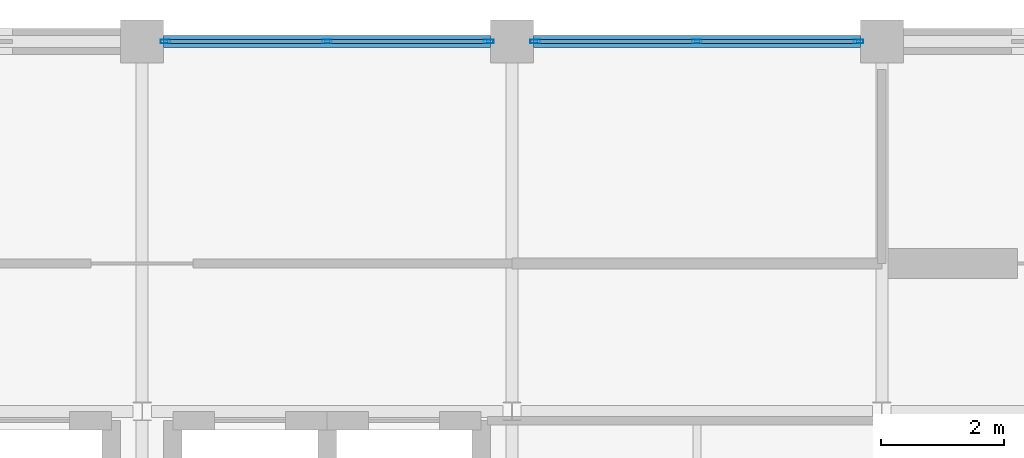
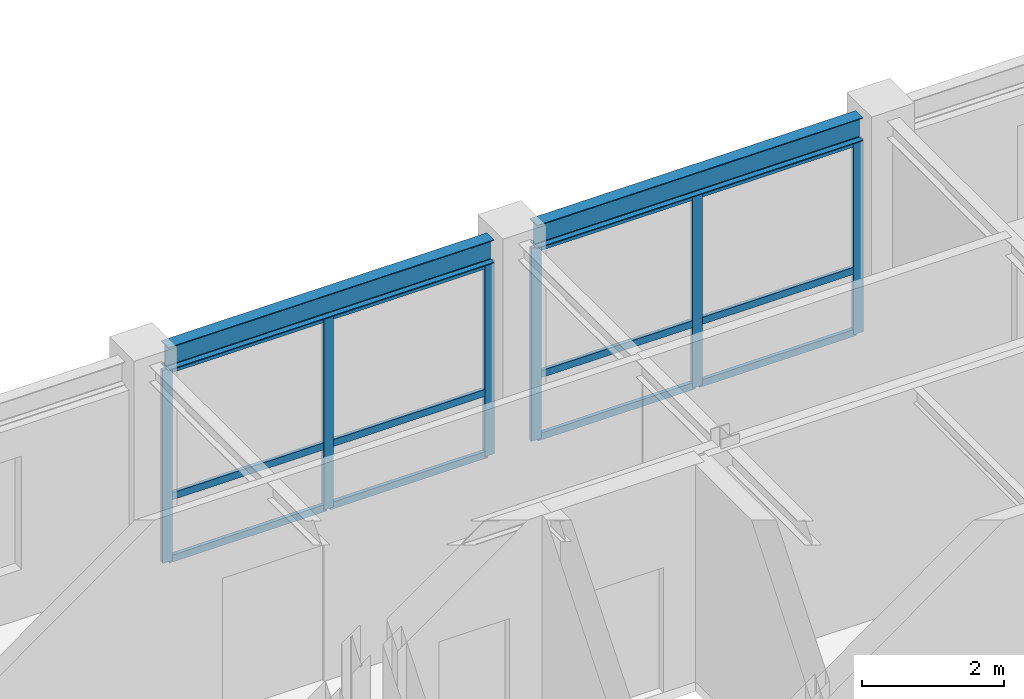
# One storey, part 6 of 11: 18 members, 2 beams, 2 elements without a shape of their own.
"""IFC4 building model written with IfcOpenShell, lengths in metres."""

from ifc_helpers import new_model, si_unit, direction, frame, origin, origin_2d, place, context, subcontext, project, spatial, hollow_rectangle, i_section, extrude, material, layer, layer_set, material_profile, profile_set, type_object, element, aggregate, save


model = new_model("IFC4")

# Units and contexts
model_context = context("Model", 3, precision=1e-05, world=origin(), true_north=direction((0.0, 1.0)))
body_context = subcontext(model_context, "Body", "Model", "MODEL_VIEW")
ifc_project = project(units=[si_unit("LENGTHUNIT", "METRE"), si_unit("AREAUNIT", "SQUARE_METRE"), si_unit("VOLUMEUNIT", "CUBIC_METRE"), si_unit("PLANEANGLEUNIT", "RADIAN"), si_unit("MASSUNIT", "GRAM", prefix="KILO")], contexts=[model_context])

# Site, building, storey
site_placement = place(None, origin())
site = spatial("IfcSite", under=ifc_project, at=site_placement, CompositionType="ELEMENT")
building_placement = place(site_placement, origin())
building = spatial("IfcBuilding", under=site, at=building_placement, Name="Zlatovratsky Civic Hall", CompositionType="ELEMENT")
storey_placement = place(building_placement, frame((0.0, 0.0, 56.10009765625)))
storey = spatial("IfcBuildingStorey", under=building, at=storey_placement, Name="L14", CompositionType="ELEMENT", Elevation=56.10009765625)

# Beams
ifc_material_1 = material(Name="Steel S355", Category="steel")
ifc_material_profile_1 = material_profile(ifc_material_1, i_section(OverallWidth=0.199951171875, OverallDepth=0.39990234375, WebThickness=0.008056640625, FlangeThickness=0.012939453125, FilletRadius=0.014892578125, at=origin_2d()), Name="40B2")
ifc_profile_set_1 = profile_set([ifc_material_profile_1], Name="Steel S355")
beam_type = type_object("IfcBeamType", Name="Beam_Spandrel_40B2", PredefinedType="SPANDREL", material=ifc_profile_set_1)
for number, where, z_axis, x_axis, name in (
    (1, (78.35009765625, 102.0, 3.539794921875), (1.0, 0.0, 0.0), (0.0, 1.0, 0.0), "BM-4998"),
    (2, (84.35009765625, 102.0, 3.539794921875), (1.0, 0.0, 0.0), (0.0, 1.0, 0.0), "BM-4999"),
):
    element("IfcBeam", number, at=place(storey_placement, frame(where, z_axis=z_axis, x_axis=x_axis)), inside=storey, type_object=beam_type, Name=name, PredefinedType="SPANDREL", context=body_context, shape_type="SweptSolid", body=[
        extrude(i_section(OverallWidth=0.199951171875, OverallDepth=0.39990234375, WebThickness=0.008056640625, FlangeThickness=0.012939453125, FilletRadius=0.014892578125, at=origin_2d()), origin(), (0.0, 0.0, 1.0), 5.2998046875),
    ])

# Curtain wall, members
ifc_material_2 = material(Name="Anodised bronze aluminium", Category="aluminium")
ifc_layer = layer(ifc_material_2, 0.159912109375)
ifc_layer_set = layer_set([ifc_layer], Name="Anodised bronze aluminium")
curtain_wall_type = type_object("IfcCurtainWallType", Name="CurtainWall_Bronze_5300x3320_21", PredefinedType="NOTDEFINED", material=ifc_layer_set)
curtain_wall_1_placement = place(storey_placement, origin())
curtain_wall_1 = element("IfcCurtainWall", 3, at=curtain_wall_1_placement, inside=storey, type_object=curtain_wall_type, Name="CW-167", PredefinedType="NOTDEFINED")
ifc_material_profile_2 = material_profile(ifc_material_2, hollow_rectangle(XDim=0.06005859375, YDim=0.159912109375, WallThickness=0.00390625, at=origin_2d()), Name="ALU 60x160x4")
ifc_profile_set_2 = profile_set([ifc_material_profile_2], Name="Anodised bronze aluminium")
member_type_1 = type_object("IfcMemberType", Name="CW_Mullion_60x160", PredefinedType="MULLION", material=ifc_profile_set_2)
member_1_placement = place(storey_placement, frame((78.3798828125, 102.0, 0.0), z_axis=(0.0, 0.0, 1.0), x_axis=(0.0, 1.0, 0.0)))
member_1 = element("IfcMember", 4, at=member_1_placement, type_object=member_type_1, Name="CW-21 mullion 1", PredefinedType="MULLION", context=body_context, shape_type="SweptSolid", body=[
    extrude(hollow_rectangle(XDim=0.06005859375, YDim=0.159912109375, WallThickness=0.00390625, at=origin_2d()), origin(), (0.0, 0.0, 1.0), 3.31982421875),
])
member_2_placement = place(storey_placement, frame((81.0, 102.0, 0.0), z_axis=(0.0, 0.0, 1.0), x_axis=(0.0, 1.0, 0.0)))
member_2 = element("IfcMember", 5, at=member_2_placement, type_object=member_type_1, Name="CW-21 mullion 2", PredefinedType="MULLION", context=body_context, shape_type="SweptSolid", body=[
    extrude(hollow_rectangle(XDim=0.06005859375, YDim=0.159912109375, WallThickness=0.00390625, at=origin_2d()), origin(), (0.0, 0.0, 1.0), 3.31982421875),
])
member_3_placement = place(storey_placement, frame((83.6201171875, 102.0, 0.0), z_axis=(0.0, 0.0, 1.0), x_axis=(0.0, 1.0, 0.0)))
member_3 = element("IfcMember", 6, at=member_3_placement, type_object=member_type_1, Name="CW-21 mullion 3", PredefinedType="MULLION", context=body_context, shape_type="SweptSolid", body=[
    extrude(hollow_rectangle(XDim=0.06005859375, YDim=0.159912109375, WallThickness=0.00390625, at=origin_2d()), origin(), (0.0, 0.0, 1.0), 3.31982421875),
])

curtain_wall_2_placement = place(storey_placement, origin())
curtain_wall_2 = element("IfcCurtainWall", 7, at=curtain_wall_2_placement, inside=storey, type_object=curtain_wall_type, Name="CW-168", PredefinedType="NOTDEFINED")
member_4_placement = place(storey_placement, frame((84.3798828125, 102.0, 0.0), z_axis=(0.0, 0.0, 1.0), x_axis=(0.0, 1.0, 0.0)))
member_4 = element("IfcMember", 8, at=member_4_placement, type_object=member_type_1, Name="CW-21 mullion 1", PredefinedType="MULLION", context=body_context, shape_type="SweptSolid", body=[
    extrude(hollow_rectangle(XDim=0.06005859375, YDim=0.159912109375, WallThickness=0.00390625, at=origin_2d()), origin(), (0.0, 0.0, 1.0), 3.31982421875),
])
member_5_placement = place(storey_placement, frame((87.0, 102.0, 0.0), z_axis=(0.0, 0.0, 1.0), x_axis=(0.0, 1.0, 0.0)))
member_5 = element("IfcMember", 9, at=member_5_placement, type_object=member_type_1, Name="CW-21 mullion 2", PredefinedType="MULLION", context=body_context, shape_type="SweptSolid", body=[
    extrude(hollow_rectangle(XDim=0.06005859375, YDim=0.159912109375, WallThickness=0.00390625, at=origin_2d()), origin(), (0.0, 0.0, 1.0), 3.31982421875),
])
member_6_placement = place(storey_placement, frame((89.6201171875, 102.0, 0.0), z_axis=(0.0, 0.0, 1.0), x_axis=(0.0, 1.0, 0.0)))
member_6 = element("IfcMember", 10, at=member_6_placement, type_object=member_type_1, Name="CW-21 mullion 3", PredefinedType="MULLION", context=body_context, shape_type="SweptSolid", body=[
    extrude(hollow_rectangle(XDim=0.06005859375, YDim=0.159912109375, WallThickness=0.00390625, at=origin_2d()), origin(), (0.0, 0.0, 1.0), 3.31982421875),
])

# Member
ifc_material_profile_3 = material_profile(ifc_material_2, hollow_rectangle(XDim=0.06005859375, YDim=0.1201171875, WallThickness=0.00390625, at=origin_2d()), Name="ALU 60x120x4")
ifc_profile_set_3 = profile_set([ifc_material_profile_3], Name="Anodised bronze aluminium")
member_type_2 = type_object("IfcMemberType", Name="CW_Transom_60x120", PredefinedType="USERDEFINED", material=ifc_profile_set_3)
member_7_placement = place(storey_placement, frame((78.409912109375, 102.0, 0.02978515625), z_axis=(1.0, 0.0, 0.0), x_axis=(0.0, 1.0, 0.0)))
member_7 = element("IfcMember", 11, at=member_7_placement, type_object=member_type_2, Name="CW-21 transom 1.1", ObjectType="TRANSOM", PredefinedType="USERDEFINED", context=body_context, shape_type="SweptSolid", body=[
    extrude(hollow_rectangle(XDim=0.06005859375, YDim=0.1201171875, WallThickness=0.00390625, at=origin_2d()), origin(), (0.0, 0.0, 1.0), 2.56005859375),
])

member_8_placement = place(storey_placement, frame((78.409912109375, 102.0, 1.099853515625), z_axis=(1.0, 0.0, 0.0), x_axis=(0.0, 1.0, 0.0)))
member_8 = element("IfcMember", 12, at=member_8_placement, type_object=member_type_2, Name="CW-21 transom 1.2", ObjectType="TRANSOM", PredefinedType="USERDEFINED", context=body_context, shape_type="SweptSolid", body=[
    extrude(hollow_rectangle(XDim=0.06005859375, YDim=0.1201171875, WallThickness=0.00390625, at=origin_2d()), origin(), (0.0, 0.0, 1.0), 2.56005859375),
])

member_9_placement = place(storey_placement, frame((78.409912109375, 102.0, 3.289794921875), z_axis=(1.0, 0.0, 0.0), x_axis=(0.0, 1.0, 0.0)))
member_9 = element("IfcMember", 13, at=member_9_placement, type_object=member_type_2, Name="CW-21 transom 1.3", ObjectType="TRANSOM", PredefinedType="USERDEFINED", context=body_context, shape_type="SweptSolid", body=[
    extrude(hollow_rectangle(XDim=0.06005859375, YDim=0.1201171875, WallThickness=0.00390625, at=origin_2d()), origin(), (0.0, 0.0, 1.0), 2.56005859375),
])

member_10_placement = place(storey_placement, frame((81.030029296875, 102.0, 0.02978515625), z_axis=(1.0, 0.0, 0.0), x_axis=(0.0, 1.0, 0.0)))
member_10 = element("IfcMember", 14, at=member_10_placement, type_object=member_type_2, Name="CW-21 transom 2.1", ObjectType="TRANSOM", PredefinedType="USERDEFINED", context=body_context, shape_type="SweptSolid", body=[
    extrude(hollow_rectangle(XDim=0.06005859375, YDim=0.1201171875, WallThickness=0.00390625, at=origin_2d()), origin(), (0.0, 0.0, 1.0), 2.56005859375),
])

member_11_placement = place(storey_placement, frame((81.030029296875, 102.0, 1.099853515625), z_axis=(1.0, 0.0, 0.0), x_axis=(0.0, 1.0, 0.0)))
member_11 = element("IfcMember", 15, at=member_11_placement, type_object=member_type_2, Name="CW-21 transom 2.2", ObjectType="TRANSOM", PredefinedType="USERDEFINED", context=body_context, shape_type="SweptSolid", body=[
    extrude(hollow_rectangle(XDim=0.06005859375, YDim=0.1201171875, WallThickness=0.00390625, at=origin_2d()), origin(), (0.0, 0.0, 1.0), 2.56005859375),
])

member_12_placement = place(storey_placement, frame((81.030029296875, 102.0, 3.289794921875), z_axis=(1.0, 0.0, 0.0), x_axis=(0.0, 1.0, 0.0)))
member_12 = element("IfcMember", 16, at=member_12_placement, type_object=member_type_2, Name="CW-21 transom 2.3", ObjectType="TRANSOM", PredefinedType="USERDEFINED", context=body_context, shape_type="SweptSolid", body=[
    extrude(hollow_rectangle(XDim=0.06005859375, YDim=0.1201171875, WallThickness=0.00390625, at=origin_2d()), origin(), (0.0, 0.0, 1.0), 2.56005859375),
])

aggregate(curtain_wall_1, [member_1, member_2, member_3, member_7, member_8, member_9, member_10, member_11, member_12])

member_13_placement = place(storey_placement, frame((84.409912109375, 102.0, 0.02978515625), z_axis=(1.0, 0.0, 0.0), x_axis=(0.0, 1.0, 0.0)))
member_13 = element("IfcMember", 17, at=member_13_placement, type_object=member_type_2, Name="CW-21 transom 1.1", ObjectType="TRANSOM", PredefinedType="USERDEFINED", context=body_context, shape_type="SweptSolid", body=[
    extrude(hollow_rectangle(XDim=0.06005859375, YDim=0.1201171875, WallThickness=0.00390625, at=origin_2d()), origin(), (0.0, 0.0, 1.0), 2.56005859375),
])

member_14_placement = place(storey_placement, frame((84.409912109375, 102.0, 1.099853515625), z_axis=(1.0, 0.0, 0.0), x_axis=(0.0, 1.0, 0.0)))
member_14 = element("IfcMember", 18, at=member_14_placement, type_object=member_type_2, Name="CW-21 transom 1.2", ObjectType="TRANSOM", PredefinedType="USERDEFINED", context=body_context, shape_type="SweptSolid", body=[
    extrude(hollow_rectangle(XDim=0.06005859375, YDim=0.1201171875, WallThickness=0.00390625, at=origin_2d()), origin(), (0.0, 0.0, 1.0), 2.56005859375),
])

member_15_placement = place(storey_placement, frame((84.409912109375, 102.0, 3.289794921875), z_axis=(1.0, 0.0, 0.0), x_axis=(0.0, 1.0, 0.0)))
member_15 = element("IfcMember", 19, at=member_15_placement, type_object=member_type_2, Name="CW-21 transom 1.3", ObjectType="TRANSOM", PredefinedType="USERDEFINED", context=body_context, shape_type="SweptSolid", body=[
    extrude(hollow_rectangle(XDim=0.06005859375, YDim=0.1201171875, WallThickness=0.00390625, at=origin_2d()), origin(), (0.0, 0.0, 1.0), 2.56005859375),
])

member_16_placement = place(storey_placement, frame((87.030029296875, 102.0, 0.02978515625), z_axis=(1.0, 0.0, 0.0), x_axis=(0.0, 1.0, 0.0)))
member_16 = element("IfcMember", 20, at=member_16_placement, type_object=member_type_2, Name="CW-21 transom 2.1", ObjectType="TRANSOM", PredefinedType="USERDEFINED", context=body_context, shape_type="SweptSolid", body=[
    extrude(hollow_rectangle(XDim=0.06005859375, YDim=0.1201171875, WallThickness=0.00390625, at=origin_2d()), origin(), (0.0, 0.0, 1.0), 2.56005859375),
])

member_17_placement = place(storey_placement, frame((87.030029296875, 102.0, 1.099853515625), z_axis=(1.0, 0.0, 0.0), x_axis=(0.0, 1.0, 0.0)))
member_17 = element("IfcMember", 21, at=member_17_placement, type_object=member_type_2, Name="CW-21 transom 2.2", ObjectType="TRANSOM", PredefinedType="USERDEFINED", context=body_context, shape_type="SweptSolid", body=[
    extrude(hollow_rectangle(XDim=0.06005859375, YDim=0.1201171875, WallThickness=0.00390625, at=origin_2d()), origin(), (0.0, 0.0, 1.0), 2.56005859375),
])

member_18_placement = place(storey_placement, frame((87.030029296875, 102.0, 3.289794921875), z_axis=(1.0, 0.0, 0.0), x_axis=(0.0, 1.0, 0.0)))
member_18 = element("IfcMember", 22, at=member_18_placement, type_object=member_type_2, Name="CW-21 transom 2.3", ObjectType="TRANSOM", PredefinedType="USERDEFINED", context=body_context, shape_type="SweptSolid", body=[
    extrude(hollow_rectangle(XDim=0.06005859375, YDim=0.1201171875, WallThickness=0.00390625, at=origin_2d()), origin(), (0.0, 0.0, 1.0), 2.56005859375),
])

aggregate(curtain_wall_2, [member_4, member_5, member_6, member_13, member_14, member_15, member_16, member_17, member_18])

save(model, "model.ifc")
